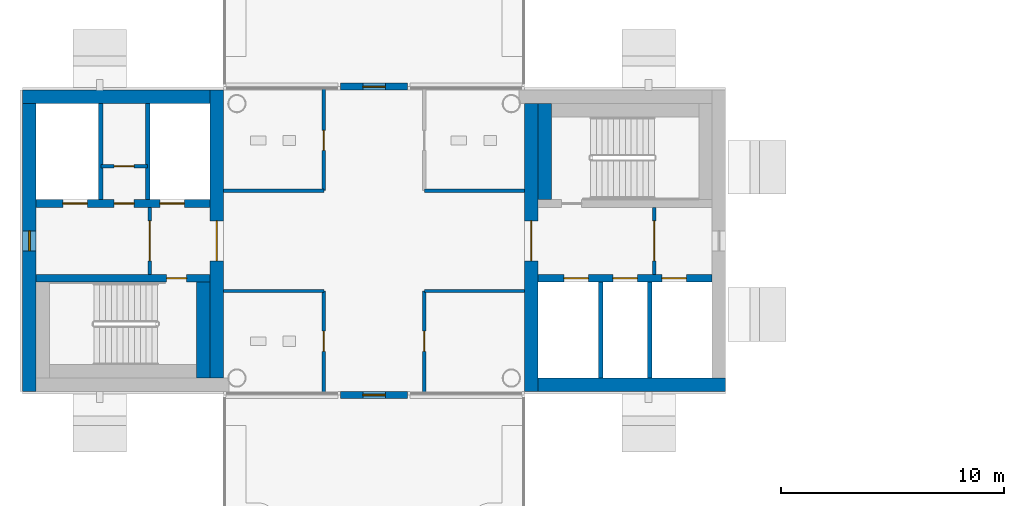
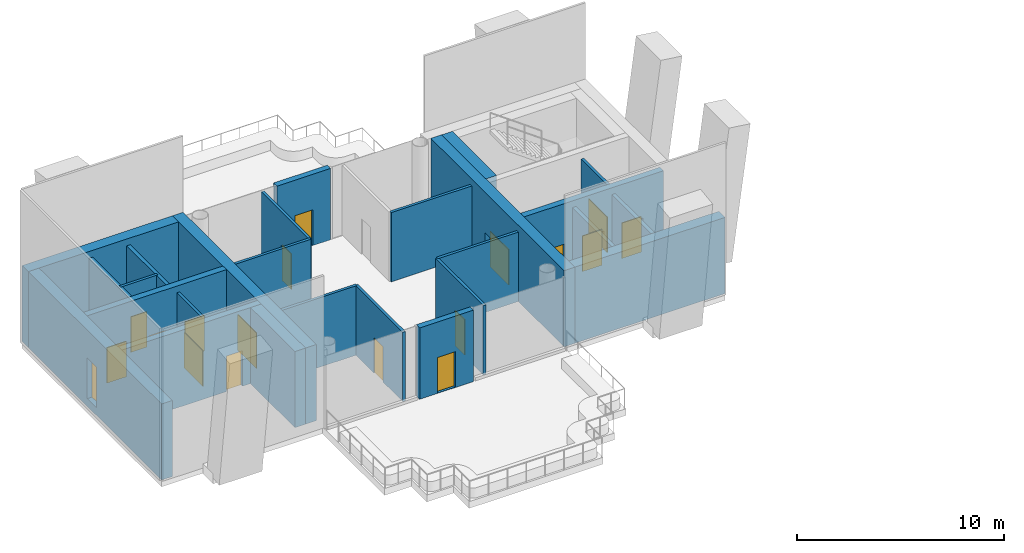
# One storey, part 7 of 17: 26 walls, 17 doors, 1 window, 18 openings.
"""IFC4 building model written with IfcOpenShell, lengths in metres."""

from ifc_helpers import new_model, si_unit, direction, frame, frame_2d, origin, place, context, subcontext, project, spatial, rectangle, extrude, material, layer, layer_set, type_object, element, fill, save


model = new_model("IFC4")

# Units and contexts
model_context = context("Model", 3, precision=1e-05, world=origin(), true_north=direction((0.0, 1.0)))
body_context = subcontext(model_context, "Body", "Model", "MODEL_VIEW")
ifc_project = project(units=[si_unit("LENGTHUNIT", "METRE"), si_unit("AREAUNIT", "SQUARE_METRE"), si_unit("VOLUMEUNIT", "CUBIC_METRE"), si_unit("PLANEANGLEUNIT", "RADIAN"), si_unit("MASSUNIT", "GRAM", prefix="KILO")], contexts=[model_context])

# Site, building, storey
site_placement = place(None, origin())
site = spatial("IfcSite", under=ifc_project, at=site_placement, CompositionType="ELEMENT")
building_placement = place(site_placement, origin())
building = spatial("IfcBuilding", under=site, at=building_placement, Name="Ipe Terrace Towers", CompositionType="ELEMENT")
storey_placement = place(building_placement, frame((0.0, 0.0, 246.89990234375)))
storey = spatial("IfcBuildingStorey", under=building, at=storey_placement, Name="L68", CompositionType="ELEMENT", Elevation=246.89990234375)

# Wall, opening, door
ifc_material_1 = material(Name="Concrete C40/50 with buff precast cladding", Category="concrete")
ifc_layer_1 = layer(ifc_material_1, 0.320068359375)
ifc_layer_set_1 = layer_set([ifc_layer_1], Name="BUFF CLADDING WALL 320")
wall_type_1 = type_object("IfcWallType", Name="BUFF CLADDING WALL 320", PredefinedType="STANDARD", material=ifc_layer_set_1)
wall_1_placement = place(storey_placement, frame((-37.5, -6.909912109375, -0.02001953125), z_axis=(0.0, 0.0, 1.0), x_axis=(1.0, 0.0, 0.0)))
wall_1 = element("IfcWall", 1, at=wall_1_placement, inside=storey, type_object=wall_type_1, Name="T1-W-L68-00c wall", PredefinedType="STANDARD", context=body_context, shape_type="SweptSolid", body=[
    extrude(rectangle(XDim=3.0, YDim=0.320068359375, at=frame_2d((1.5, 0.0))), origin(), (0.0, 0.0, 1.0), 4.22021484375),
])
opening_1_placement = place(wall_1_placement, frame((1.0, 0.0, 0.02001953125)))
opening_1 = element("IfcOpeningElement", 2, at=opening_1_placement, cuts=wall_1, Name="Opening T1-D-L68-00", PredefinedType="OPENING", context=body_context, shape_type="SweptSolid", body=[
    extrude(rectangle(XDim=1.0, YDim=2.10009765625, at=frame_2d((0.5, 1.050048828125))), frame((0.0, 0.169921875, 0.0), z_axis=(0.0, -1.0, 0.0), x_axis=(1.0, 0.0, 0.0)), (0.0, 0.0, 1.0), 0.340087890625),
])
ifc_material_2 = material(Name="Aluminium alloy 6063-T6 framed glazed door", Category="aluminium")
door_type_1 = type_object("IfcDoorType", Name="TERRACE DOOR 1000 x 2100", OperationType="SINGLE_SWING_LEFT", PredefinedType="DOOR", material=ifc_material_2)
door_1_placement = place(opening_1_placement, origin())
door_1 = element("IfcDoor", 3, at=door_1_placement, inside=storey, type_object=door_type_1, Name="DT1 door", OperationType="SINGLE_SWING_LEFT", OverallHeight=2.10009765625, OverallWidth=1.0, PredefinedType="DOOR", context=body_context, shape_type="SweptSolid", body=[
    extrude(rectangle(XDim=1.0, YDim=2.10009765625, at=frame_2d((0.5, 1.050048828125))), frame((0.0, 0.02490234375, 0.0), z_axis=(0.0, -1.0, 0.0), x_axis=(1.0, 0.0, 0.0)), (0.0, 0.0, 1.0), 0.050048828125),
])
fill(opening_1, door_1)

wall_2_placement = place(storey_placement, frame((-34.5, 6.909912109375, -0.02001953125), z_axis=(0.0, 0.0, 1.0), x_axis=(-1.0, 0.0, 0.0)))
wall_2 = element("IfcWall", 4, at=wall_2_placement, inside=storey, type_object=wall_type_1, Name="T1-W-L68-02c wall", PredefinedType="STANDARD", context=body_context, shape_type="SweptSolid", body=[
    extrude(rectangle(XDim=3.0, YDim=0.320068359375, at=frame_2d((1.5, 0.0))), origin(), (0.0, 0.0, 1.0), 4.22021484375),
])
opening_2_placement = place(wall_2_placement, frame((1.0, 0.0, 0.02001953125)))
opening_2 = element("IfcOpeningElement", 5, at=opening_2_placement, cuts=wall_2, Name="Opening T1-D-L68-02", PredefinedType="OPENING", context=body_context, shape_type="SweptSolid", body=[
    extrude(rectangle(XDim=1.0, YDim=2.10009765625, at=frame_2d((0.5, 1.050048828125))), frame((0.0, 0.169921875, 0.0), z_axis=(0.0, -1.0, 0.0), x_axis=(1.0, 0.0, 0.0)), (0.0, 0.0, 1.0), 0.340087890625),
])
door_2_placement = place(opening_2_placement, origin())
door_2 = element("IfcDoor", 6, at=door_2_placement, inside=storey, type_object=door_type_1, Name="DT1 door", OperationType="SINGLE_SWING_LEFT", OverallHeight=2.10009765625, OverallWidth=1.0, PredefinedType="DOOR", context=body_context, shape_type="SweptSolid", body=[
    extrude(rectangle(XDim=1.0, YDim=2.10009765625, at=frame_2d((0.5, 1.050048828125))), frame((0.0, 0.02490234375, 0.0), z_axis=(0.0, -1.0, 0.0), x_axis=(1.0, 0.0, 0.0)), (0.0, 0.0, 1.0), 0.050048828125),
])
fill(opening_2, door_2)

ifc_material_3 = material(Name="Gypsum board partition", Category="plasterboard")
ifc_layer_2 = layer(ifc_material_3, 0.14990234375)
ifc_layer_set_2 = layer_set([ifc_layer_2], Name="Gypsum board partition 150 mm")
wall_type_2 = type_object("IfcWallType", Name="Gypsum board partition 150 mm", PredefinedType="PARTITIONING", material=ifc_layer_set_2)
wall_3_placement = place(storey_placement, frame((-23.449951171875, -1.5, 0.0), z_axis=(0.0, 0.0, 1.0), x_axis=(0.0, 1.0, 0.0)))
wall_3 = element("IfcWall", 7, at=wall_3_placement, inside=storey, type_object=wall_type_2, Name="Gypsum board partition T1 L68 t1c1-lobby-wall", PredefinedType="PARTITIONING", context=body_context, shape_type="SweptSolid", body=[
    extrude(rectangle(XDim=3.0, YDim=0.14990234375, at=frame_2d((1.5, 0.0))), origin(), (0.0, 0.0, 1.0), 4.10009765625),
])
opening_3_placement = place(wall_3_placement, frame((0.60009765625, 0.0, 0.0)))
opening_3 = element("IfcOpeningElement", 8, at=opening_3_placement, cuts=wall_3, Name="Opening T1C1-VD", PredefinedType="OPENING", context=body_context, shape_type="SweptSolid", body=[
    extrude(rectangle(XDim=1.800048828125, YDim=2.10009765625, at=frame_2d((0.89990234375, 1.050048828125))), frame((0.0, 0.0849609375, 0.0), z_axis=(0.0, -1.0, 0.0), x_axis=(1.0, 0.0, 0.0)), (0.0, 0.0, 1.0), 0.169921875),
])
ifc_material_4 = material(Name="Fire-rated timber door leaf", Category="wood")
door_type_2 = type_object("IfcDoorType", Name="Lobby door 1800 x 2100 FD60", OperationType="NOTDEFINED", PredefinedType="DOOR", material=ifc_material_4)
door_3_placement = place(opening_3_placement, origin())
door_3 = element("IfcDoor", 9, at=door_3_placement, inside=storey, type_object=door_type_2, Name="Lobby door T1C1-VD", OperationType="SINGLE_SWING_LEFT", OverallHeight=2.10009765625, OverallWidth=1.800048828125, PredefinedType="DOOR", context=body_context, shape_type="SweptSolid", body=[
    extrude(rectangle(XDim=1.800048828125, YDim=2.10009765625, at=frame_2d((0.89990234375, 1.050048828125))), frame((0.0, 0.02490234375, 0.0), z_axis=(0.0, -1.0, 0.0), x_axis=(1.0, 0.0, 0.0)), (0.0, 0.0, 1.0), 0.050048828125),
])
fill(opening_3, door_3)

wall_4_placement = place(storey_placement, frame((-46.050048828125, 1.5, 0.0), z_axis=(0.0, 0.0, 1.0), x_axis=(0.0, -1.0, 0.0)))
wall_4 = element("IfcWall", 10, at=wall_4_placement, inside=storey, type_object=wall_type_2, Name="Gypsum board partition T1 L68 t1c2-lobby-wall", PredefinedType="PARTITIONING", context=body_context, shape_type="SweptSolid", body=[
    extrude(rectangle(XDim=3.0, YDim=0.14990234375, at=frame_2d((1.5, 0.0))), origin(), (0.0, 0.0, 1.0), 4.10009765625),
])
opening_4_placement = place(wall_4_placement, frame((0.60009765625, 0.0, 0.0)))
opening_4 = element("IfcOpeningElement", 11, at=opening_4_placement, cuts=wall_4, Name="Opening T1C2-VD", PredefinedType="OPENING", context=body_context, shape_type="SweptSolid", body=[
    extrude(rectangle(XDim=1.800048828125, YDim=2.10009765625, at=frame_2d((0.89990234375, 1.050048828125))), frame((0.0, 0.0849609375, 0.0), z_axis=(0.0, -1.0, 0.0), x_axis=(1.0, 0.0, 0.0)), (0.0, 0.0, 1.0), 0.169921875),
])
door_4_placement = place(opening_4_placement, origin())
door_4 = element("IfcDoor", 12, at=door_4_placement, inside=storey, type_object=door_type_2, Name="Lobby door T1C2-VD", OperationType="SINGLE_SWING_LEFT", OverallHeight=2.10009765625, OverallWidth=1.800048828125, PredefinedType="DOOR", context=body_context, shape_type="SweptSolid", body=[
    extrude(rectangle(XDim=1.800048828125, YDim=2.10009765625, at=frame_2d((0.89990234375, 1.050048828125))), frame((0.0, 0.02490234375, 0.0), z_axis=(0.0, -1.0, 0.0), x_axis=(1.0, 0.0, 0.0)), (0.0, 0.0, 1.0), 0.050048828125),
])
fill(opening_4, door_4)

wall_5_placement = place(storey_placement, frame((-46.14990234375, 3.35009765625, 0.0), z_axis=(0.0, 0.0, 1.0), x_axis=(-1.0, 0.0, 0.0)))
wall_5 = element("IfcWall", 13, at=wall_5_placement, inside=storey, type_object=wall_type_2, Name="Gypsum board partition T1 L68 t1c2-q-back", PredefinedType="PARTITIONING", context=body_context, shape_type="SweptSolid", body=[
    extrude(rectangle(XDim=2.10009765625, YDim=0.14990234375, at=frame_2d((1.050048828125, 0.0))), origin(), (0.0, 0.0, 1.0), 4.10009765625),
])
opening_5_placement = place(wall_5_placement, frame((0.60009765625, 0.0, 0.0)))
opening_5 = element("IfcOpeningElement", 14, at=opening_5_placement, cuts=wall_5, Name="Opening T1C2-RB", PredefinedType="OPENING", context=body_context, shape_type="SweptSolid", body=[
    extrude(rectangle(XDim=0.89990234375, YDim=2.10009765625, at=frame_2d((0.449951171875, 1.050048828125))), frame((0.0, 0.0849609375, 0.0), z_axis=(0.0, -1.0, 0.0), x_axis=(1.0, 0.0, 0.0)), (0.0, 0.0, 1.0), 0.169921875),
])
ifc_material_5 = material(Name="Fire-rated timber door leaf", Category="wood")
door_type_3 = type_object("IfcDoorType", Name="Service door 900 x 2100 FD60", OperationType="NOTDEFINED", PredefinedType="DOOR", material=ifc_material_5)
door_5_placement = place(opening_5_placement, origin())
door_5 = element("IfcDoor", 15, at=door_5_placement, inside=storey, type_object=door_type_3, Name="Service door T1C2-RB", OperationType="SINGLE_SWING_LEFT", OverallHeight=2.10009765625, OverallWidth=0.89990234375, PredefinedType="DOOR", context=body_context, shape_type="SweptSolid", body=[
    extrude(rectangle(XDim=0.89990234375, YDim=2.10009765625, at=frame_2d((0.449951171875, 1.050048828125))), frame((0.0, 0.02490234375, 0.0), z_axis=(0.0, -1.0, 0.0), x_axis=(1.0, 0.0, 0.0)), (0.0, 0.0, 1.0), 0.050048828125),
])
fill(opening_5, door_5)

# Wall
wall_6_placement = place(storey_placement, frame((-33.75, 2.25, 0.0), z_axis=(0.0, 0.0, 1.0), x_axis=(1.0, 0.0, 0.0)))
element("IfcWall", 16, at=wall_6_placement, inside=storey, type_object=wall_type_2, Name="Gypsum board partition T1 L68 sp-cne-y", PredefinedType="PARTITIONING", context=body_context, shape_type="SweptSolid", body=[
    extrude(rectangle(XDim=4.5, YDim=0.14990234375, at=frame_2d((2.25, 0.0))), origin(), (0.0, 0.0, 1.0), 4.10009765625),
])

# Wall, opening, door
wall_7_placement = place(storey_placement, frame((-33.75, -6.85009765625, 0.0), z_axis=(0.0, 0.0, 1.0), x_axis=(0.0, 1.0, 0.0)))
wall_7 = element("IfcWall", 17, at=wall_7_placement, inside=storey, type_object=wall_type_2, Name="Gypsum board partition T1 L68 sp-cse-x", PredefinedType="PARTITIONING", context=body_context, shape_type="SweptSolid", body=[
    extrude(rectangle(XDim=4.60009765625, YDim=0.14990234375, at=frame_2d((2.300048828125, 0.0))), origin(), (0.0, 0.0, 1.0), 4.10009765625),
])
opening_6_placement = place(wall_7_placement, frame((1.89990234375, 0.0, 0.0)))
opening_6 = element("IfcOpeningElement", 18, at=opening_6_placement, cuts=wall_7, Name="Opening T1-SP-CSE", PredefinedType="OPENING", context=body_context, shape_type="SweptSolid", body=[
    extrude(rectangle(XDim=0.89990234375, YDim=2.10009765625, at=frame_2d((0.449951171875, 1.050048828125))), frame((0.0, 0.0849609375, 0.0), z_axis=(0.0, -1.0, 0.0), x_axis=(1.0, 0.0, 0.0)), (0.0, 0.0, 1.0), 0.169921875),
])
ifc_material_6 = material(Name="Timber door leaf", Category="wood")
door_type_4 = type_object("IfcDoorType", Name="Service door 900 x 2100", OperationType="NOTDEFINED", PredefinedType="DOOR", material=ifc_material_6)
door_6_placement = place(opening_6_placement, origin())
door_6 = element("IfcDoor", 19, at=door_6_placement, inside=storey, type_object=door_type_4, Name="Service door T1-SP-CSE", OperationType="SINGLE_SWING_RIGHT", OverallHeight=2.10009765625, OverallWidth=0.89990234375, PredefinedType="DOOR", context=body_context, shape_type="SweptSolid", body=[
    extrude(rectangle(XDim=0.89990234375, YDim=2.10009765625, at=frame_2d((0.449951171875, 1.050048828125))), frame((0.0, 0.02490234375, 0.0), z_axis=(0.0, -1.0, 0.0), x_axis=(1.0, 0.0, 0.0)), (0.0, 0.0, 1.0), 0.050048828125),
])
fill(opening_6, door_6)

# Wall
wall_8_placement = place(storey_placement, frame((-33.75, -2.25, 0.0), z_axis=(0.0, 0.0, 1.0), x_axis=(1.0, 0.0, 0.0)))
element("IfcWall", 20, at=wall_8_placement, inside=storey, type_object=wall_type_2, Name="Gypsum board partition T1 L68 sp-cse-y", PredefinedType="PARTITIONING", context=body_context, shape_type="SweptSolid", body=[
    extrude(rectangle(XDim=4.5, YDim=0.14990234375, at=frame_2d((2.25, 0.0))), origin(), (0.0, 0.0, 1.0), 4.10009765625),
])

# Wall, opening, door
wall_9_placement = place(storey_placement, frame((-38.25, 2.25, 0.0), z_axis=(0.0, 0.0, 1.0), x_axis=(0.0, 1.0, 0.0)))
wall_9 = element("IfcWall", 21, at=wall_9_placement, inside=storey, type_object=wall_type_2, Name="Gypsum board partition T1 L68 sp-cnw-x", PredefinedType="PARTITIONING", context=body_context, shape_type="SweptSolid", body=[
    extrude(rectangle(XDim=4.60009765625, YDim=0.14990234375, at=frame_2d((2.300048828125, 0.0))), origin(), (0.0, 0.0, 1.0), 4.10009765625),
])
opening_7_placement = place(wall_9_placement, frame((1.800048828125, 0.0, 0.0)))
opening_7 = element("IfcOpeningElement", 22, at=opening_7_placement, cuts=wall_9, Name="Opening T1-SP-CNW", PredefinedType="OPENING", context=body_context, shape_type="SweptSolid", body=[
    extrude(rectangle(XDim=0.89990234375, YDim=2.10009765625, at=frame_2d((0.449951171875, 1.050048828125))), frame((0.0, 0.0849609375, 0.0), z_axis=(0.0, -1.0, 0.0), x_axis=(1.0, 0.0, 0.0)), (0.0, 0.0, 1.0), 0.169921875),
])
ifc_material_7 = material(Name="Timber door leaf", Category="wood")
door_type_5 = type_object("IfcDoorType", Name="Bathroom door 900 x 2100", OperationType="NOTDEFINED", PredefinedType="DOOR", material=ifc_material_7)
door_7_placement = place(opening_7_placement, origin())
door_7 = element("IfcDoor", 23, at=door_7_placement, inside=storey, type_object=door_type_5, Name="Bathroom door T1-SP-CNW", OperationType="SINGLE_SWING_LEFT", OverallHeight=2.10009765625, OverallWidth=0.89990234375, PredefinedType="DOOR", context=body_context, shape_type="SweptSolid", body=[
    extrude(rectangle(XDim=0.89990234375, YDim=2.10009765625, at=frame_2d((0.449951171875, 1.050048828125))), frame((0.0, 0.02490234375, 0.0), z_axis=(0.0, -1.0, 0.0), x_axis=(1.0, 0.0, 0.0)), (0.0, 0.0, 1.0), 0.050048828125),
])
fill(opening_7, door_7)

# Wall
wall_10_placement = place(storey_placement, frame((-42.75, 2.25, 0.0), z_axis=(0.0, 0.0, 1.0), x_axis=(1.0, 0.0, 0.0)))
element("IfcWall", 24, at=wall_10_placement, inside=storey, type_object=wall_type_2, Name="Gypsum board partition T1 L68 sp-cnw-y", PredefinedType="PARTITIONING", context=body_context, shape_type="SweptSolid", body=[
    extrude(rectangle(XDim=4.5, YDim=0.14990234375, at=frame_2d((2.25, 0.0))), origin(), (0.0, 0.0, 1.0), 4.10009765625),
])

# Wall, opening, door
wall_11_placement = place(storey_placement, frame((-38.25, -6.85009765625, 0.0), z_axis=(0.0, 0.0, 1.0), x_axis=(0.0, 1.0, 0.0)))
wall_11 = element("IfcWall", 25, at=wall_11_placement, inside=storey, type_object=wall_type_2, Name="Gypsum board partition T1 L68 sp-csw-x", PredefinedType="PARTITIONING", context=body_context, shape_type="SweptSolid", body=[
    extrude(rectangle(XDim=4.60009765625, YDim=0.14990234375, at=frame_2d((2.300048828125, 0.0))), origin(), (0.0, 0.0, 1.0), 4.10009765625),
])
opening_8_placement = place(wall_11_placement, frame((1.89990234375, 0.0, 0.0)))
opening_8 = element("IfcOpeningElement", 26, at=opening_8_placement, cuts=wall_11, Name="Opening T1-SP-CSW", PredefinedType="OPENING", context=body_context, shape_type="SweptSolid", body=[
    extrude(rectangle(XDim=0.89990234375, YDim=2.10009765625, at=frame_2d((0.449951171875, 1.050048828125))), frame((0.0, 0.0849609375, 0.0), z_axis=(0.0, -1.0, 0.0), x_axis=(1.0, 0.0, 0.0)), (0.0, 0.0, 1.0), 0.169921875),
])
door_8_placement = place(opening_8_placement, origin())
door_8 = element("IfcDoor", 27, at=door_8_placement, inside=storey, type_object=door_type_5, Name="Bathroom door T1-SP-CSW", OperationType="SINGLE_SWING_LEFT", OverallHeight=2.10009765625, OverallWidth=0.89990234375, PredefinedType="DOOR", context=body_context, shape_type="SweptSolid", body=[
    extrude(rectangle(XDim=0.89990234375, YDim=2.10009765625, at=frame_2d((0.449951171875, 1.050048828125))), frame((0.0, 0.02490234375, 0.0), z_axis=(0.0, -1.0, 0.0), x_axis=(1.0, 0.0, 0.0)), (0.0, 0.0, 1.0), 0.050048828125),
])
fill(opening_8, door_8)

# Walls
wall_12_placement = place(storey_placement, frame((-42.75, -2.25, 0.0), z_axis=(0.0, 0.0, 1.0), x_axis=(1.0, 0.0, 0.0)))
element("IfcWall", 28, at=wall_12_placement, inside=storey, type_object=wall_type_2, Name="Gypsum board partition T1 L68 sp-csw-y", PredefinedType="PARTITIONING", context=body_context, shape_type="SweptSolid", body=[
    extrude(rectangle(XDim=4.5, YDim=0.14990234375, at=frame_2d((2.25, 0.0))), origin(), (0.0, 0.0, 1.0), 4.10009765625),
])
ifc_material_8 = material(Name="Gypsum board party wall", Category="plasterboard")
ifc_layer_3 = layer(ifc_material_8, 0.199951171875)
ifc_layer_set_3 = layer_set([ifc_layer_3], Name="Gypsum board party wall 200 mm")
wall_type_3 = type_object("IfcWallType", Name="Gypsum board party wall 200 mm", PredefinedType="SOLIDWALL", material=ifc_layer_set_3)
for number, where, z_axis, x_axis, name in (
    (29, (-25.85009765625, -6.14990234375, 0.0), (0.0, 0.0, 1.0), (0.0, 1.0, 0.0), "Gypsum board party wall T1 L68 t1c1-shaft-div1"),
    (30, (-23.64990234375, -6.14990234375, 0.0), (0.0, 0.0, 1.0), (0.0, 1.0, 0.0), "Gypsum board party wall T1 L68 t1c1-shaft-div2"),
    (31, (-48.25, 6.14990234375, 0.0), (0.0, 0.0, 1.0), (0.0, -1.0, 0.0), "Gypsum board party wall T1 L68 t1c2-shaft-div2"),
    (32, (-46.14990234375, 6.14990234375, 0.0), (0.0, 0.0, 1.0), (0.0, -1.0, 0.0), "Gypsum board party wall T1 L68 t1c2-shaft-div1"),
):
    element("IfcWall", number, at=place(storey_placement, frame(where, z_axis=z_axis, x_axis=x_axis)), inside=storey, type_object=wall_type_3, Name=name, PredefinedType="SOLIDWALL", context=body_context, shape_type="SweptSolid", body=[
        extrude(rectangle(XDim=4.2998046875, YDim=0.199951171875, at=frame_2d((2.14990234375, 0.0))), origin(), (0.0, 0.0, 1.0), 4.10009765625),
    ])

# Wall, openings, doors
ifc_material_9 = material(Name="Concrete C40/50", Category="concrete")
ifc_layer_4 = layer(ifc_material_9, 0.35009765625)
ifc_layer_set_4 = layer_set([ifc_layer_4], Name="RW350 CORE SPINE WALL 350 C40-50")
wall_type_4 = type_object("IfcWallType", Name="RW350 CORE SPINE WALL 350 C40-50", PredefinedType="SHEAR", material=ifc_layer_set_4)
wall_13_placement = place(storey_placement, frame((-28.64990234375, -1.675048828125, 0.0), z_axis=(0.0, 0.0, 1.0), x_axis=(1.0, 0.0, 0.0)))
wall_13 = element("IfcWall", 33, at=wall_13_placement, inside=storey, type_object=wall_type_4, Name="Core spine wall T1-C1-Z4-SW1", PredefinedType="SHEAR", context=body_context, shape_type="SweptSolid", body=[
    extrude(rectangle(XDim=7.7998046875, YDim=0.35009765625, at=frame_2d((3.89990234375, 0.0))), origin(), (0.0, 0.0, 1.0), 4.5),
])
opening_9_placement = place(wall_13_placement, frame((1.14990234375, 0.0, 0.0)))
opening_9 = element("IfcOpeningElement", 34, at=opening_9_placement, cuts=wall_13, Name="Opening T1C1-LD1", PredefinedType="OPENING", context=body_context, shape_type="SweptSolid", body=[
    extrude(rectangle(XDim=1.10009765625, YDim=2.10009765625, at=frame_2d((0.550048828125, 1.050048828125))), frame((0.0, 0.18505859375, 0.0), z_axis=(0.0, -1.0, 0.0), x_axis=(1.0, 0.0, 0.0)), (0.0, 0.0, 1.0), 0.3701171875),
])
opening_10_placement = place(wall_13_placement, frame((3.35009765625, 0.0, 0.0)))
opening_10 = element("IfcOpeningElement", 35, at=opening_10_placement, cuts=wall_13, Name="Opening T1C1-LD2", PredefinedType="OPENING", context=body_context, shape_type="SweptSolid", body=[
    extrude(rectangle(XDim=1.10009765625, YDim=2.10009765625, at=frame_2d((0.550048828125, 1.050048828125))), frame((0.0, 0.18505859375, 0.0), z_axis=(0.0, -1.0, 0.0), x_axis=(1.0, 0.0, 0.0)), (0.0, 0.0, 1.0), 0.3701171875),
])
opening_11_placement = place(wall_13_placement, frame((5.550048828125, 0.0, 0.0)))
opening_11 = element("IfcOpeningElement", 36, at=opening_11_placement, cuts=wall_13, Name="Opening T1C1-LD3", PredefinedType="OPENING", context=body_context, shape_type="SweptSolid", body=[
    extrude(rectangle(XDim=1.10009765625, YDim=2.10009765625, at=frame_2d((0.550048828125, 1.050048828125))), frame((0.0, 0.18505859375, 0.0), z_axis=(0.0, -1.0, 0.0), x_axis=(1.0, 0.0, 0.0)), (0.0, 0.0, 1.0), 0.3701171875),
])
ifc_material_10 = material(Name="Fire-rated timber door leaf", Category="wood")
door_type_6 = type_object("IfcDoorType", Name="Sliding door 1100 x 2100 FD60", OperationType="SLIDING_TO_LEFT", PredefinedType="DOOR", material=ifc_material_10)
door_9_placement = place(opening_9_placement, origin())
door_9 = element("IfcDoor", 37, at=door_9_placement, inside=storey, type_object=door_type_6, Name="Sliding door T1C1-LD1", OperationType="SLIDING_TO_LEFT", OverallHeight=2.10009765625, OverallWidth=1.10009765625, PredefinedType="DOOR", context=body_context, shape_type="SweptSolid", body=[
    extrude(rectangle(XDim=1.10009765625, YDim=2.10009765625, at=frame_2d((0.550048828125, 1.050048828125))), frame((0.0, 0.02490234375, 0.0), z_axis=(0.0, -1.0, 0.0), x_axis=(1.0, 0.0, 0.0)), (0.0, 0.0, 1.0), 0.050048828125),
])
fill(opening_9, door_9)
door_10_placement = place(opening_10_placement, origin())
door_10 = element("IfcDoor", 38, at=door_10_placement, inside=storey, type_object=door_type_6, Name="Sliding door T1C1-LD2", OperationType="SLIDING_TO_LEFT", OverallHeight=2.10009765625, OverallWidth=1.10009765625, PredefinedType="DOOR", context=body_context, shape_type="SweptSolid", body=[
    extrude(rectangle(XDim=1.10009765625, YDim=2.10009765625, at=frame_2d((0.550048828125, 1.050048828125))), frame((0.0, 0.02490234375, 0.0), z_axis=(0.0, -1.0, 0.0), x_axis=(1.0, 0.0, 0.0)), (0.0, 0.0, 1.0), 0.050048828125),
])
fill(opening_10, door_10)
door_11_placement = place(opening_11_placement, origin())
door_11 = element("IfcDoor", 39, at=door_11_placement, inside=storey, type_object=door_type_6, Name="Sliding door T1C1-LD3", OperationType="SLIDING_TO_LEFT", OverallHeight=2.10009765625, OverallWidth=1.10009765625, PredefinedType="DOOR", context=body_context, shape_type="SweptSolid", body=[
    extrude(rectangle(XDim=1.10009765625, YDim=2.10009765625, at=frame_2d((0.550048828125, 1.050048828125))), frame((0.0, 0.02490234375, 0.0), z_axis=(0.0, -1.0, 0.0), x_axis=(1.0, 0.0, 0.0)), (0.0, 0.0, 1.0), 0.050048828125),
])
fill(opening_11, door_11)

# Wall, opening, door
wall_14_placement = place(storey_placement, frame((-51.14990234375, -1.675048828125, 0.0), z_axis=(0.0, 0.0, 1.0), x_axis=(1.0, 0.0, 0.0)))
wall_14 = element("IfcWall", 40, at=wall_14_placement, inside=storey, type_object=wall_type_4, Name="Core spine wall T1-C2-Z4-SW1", PredefinedType="SHEAR", context=body_context, shape_type="SweptSolid", body=[
    extrude(rectangle(XDim=7.7998046875, YDim=0.35009765625, at=frame_2d((3.89990234375, 0.0))), origin(), (0.0, 0.0, 1.0), 4.5),
])
opening_12_placement = place(wall_14_placement, frame((5.85009765625, 0.0, 0.0)))
opening_12 = element("IfcOpeningElement", 41, at=opening_12_placement, cuts=wall_14, Name="Opening T1C2-SD", PredefinedType="OPENING", context=body_context, shape_type="SweptSolid", body=[
    extrude(rectangle(XDim=0.89990234375, YDim=2.10009765625, at=frame_2d((0.449951171875, 1.050048828125))), frame((0.0, 0.18505859375, 0.0), z_axis=(0.0, -1.0, 0.0), x_axis=(1.0, 0.0, 0.0)), (0.0, 0.0, 1.0), 0.3701171875),
])
ifc_material_11 = material(Name="Fire-rated timber door leaf", Category="wood")
door_type_7 = type_object("IfcDoorType", Name="Stair door 900 x 2100 FD60", OperationType="NOTDEFINED", PredefinedType="DOOR", material=ifc_material_11)
door_12_placement = place(opening_12_placement, origin())
door_12 = element("IfcDoor", 42, at=door_12_placement, inside=storey, type_object=door_type_7, Name="Stair door T1C2-SD", OperationType="SINGLE_SWING_RIGHT", OverallHeight=2.10009765625, OverallWidth=0.89990234375, PredefinedType="DOOR", context=body_context, shape_type="SweptSolid", body=[
    extrude(rectangle(XDim=0.89990234375, YDim=2.10009765625, at=frame_2d((0.449951171875, 1.050048828125))), frame((0.0, 0.02490234375, 0.0), z_axis=(0.0, -1.0, 0.0), x_axis=(1.0, 0.0, 0.0)), (0.0, 0.0, 1.0), 0.050048828125),
])
fill(opening_12, door_12)

# Wall, openings, doors
wall_15_placement = place(storey_placement, frame((-51.14990234375, 1.675048828125, 0.0), z_axis=(0.0, 0.0, 1.0), x_axis=(1.0, 0.0, 0.0)))
wall_15 = element("IfcWall", 43, at=wall_15_placement, inside=storey, type_object=wall_type_4, Name="Core spine wall T1-C2-Z4-SW2", PredefinedType="SHEAR", context=body_context, shape_type="SweptSolid", body=[
    extrude(rectangle(XDim=7.7998046875, YDim=0.35009765625, at=frame_2d((3.89990234375, 0.0))), origin(), (0.0, 0.0, 1.0), 4.5),
])
opening_13_placement = place(wall_15_placement, frame((5.550048828125, 0.0, 0.0)))
opening_13 = element("IfcOpeningElement", 44, at=opening_13_placement, cuts=wall_15, Name="Opening T1C2-LD1", PredefinedType="OPENING", context=body_context, shape_type="SweptSolid", body=[
    extrude(rectangle(XDim=1.10009765625, YDim=2.10009765625, at=frame_2d((0.550048828125, 1.050048828125))), frame((0.0, 0.18505859375, 0.0), z_axis=(0.0, -1.0, 0.0), x_axis=(1.0, 0.0, 0.0)), (0.0, 0.0, 1.0), 0.3701171875),
])
opening_14_placement = place(wall_15_placement, frame((1.199951171875, 0.0, 0.0)))
opening_14 = element("IfcOpeningElement", 45, at=opening_14_placement, cuts=wall_15, Name="Opening T1C2-LD3", PredefinedType="OPENING", context=body_context, shape_type="SweptSolid", body=[
    extrude(rectangle(XDim=1.10009765625, YDim=2.10009765625, at=frame_2d((0.550048828125, 1.050048828125))), frame((0.0, 0.18505859375, 0.0), z_axis=(0.0, -1.0, 0.0), x_axis=(1.0, 0.0, 0.0)), (0.0, 0.0, 1.0), 0.3701171875),
])
opening_15_placement = place(wall_15_placement, frame((3.5, 0.0, 0.0)))
opening_15 = element("IfcOpeningElement", 46, at=opening_15_placement, cuts=wall_15, Name="Opening T1C2-R1-NR", PredefinedType="OPENING", context=body_context, shape_type="SweptSolid", body=[
    extrude(rectangle(XDim=0.89990234375, YDim=2.10009765625, at=frame_2d((0.449951171875, 1.050048828125))), frame((0.0, 0.18505859375, 0.0), z_axis=(0.0, -1.0, 0.0), x_axis=(1.0, 0.0, 0.0)), (0.0, 0.0, 1.0), 0.3701171875),
])
door_13_placement = place(opening_13_placement, origin())
door_13 = element("IfcDoor", 47, at=door_13_placement, inside=storey, type_object=door_type_6, Name="Sliding door T1C2-LD1", OperationType="SLIDING_TO_LEFT", OverallHeight=2.10009765625, OverallWidth=1.10009765625, PredefinedType="DOOR", context=body_context, shape_type="SweptSolid", body=[
    extrude(rectangle(XDim=1.10009765625, YDim=2.10009765625, at=frame_2d((0.550048828125, 1.050048828125))), frame((0.0, 0.02490234375, 0.0), z_axis=(0.0, -1.0, 0.0), x_axis=(1.0, 0.0, 0.0)), (0.0, 0.0, 1.0), 0.050048828125),
])
fill(opening_13, door_13)
door_14_placement = place(opening_14_placement, origin())
door_14 = element("IfcDoor", 48, at=door_14_placement, inside=storey, type_object=door_type_6, Name="Sliding door T1C2-LD3", OperationType="SLIDING_TO_LEFT", OverallHeight=2.10009765625, OverallWidth=1.10009765625, PredefinedType="DOOR", context=body_context, shape_type="SweptSolid", body=[
    extrude(rectangle(XDim=1.10009765625, YDim=2.10009765625, at=frame_2d((0.550048828125, 1.050048828125))), frame((0.0, 0.02490234375, 0.0), z_axis=(0.0, -1.0, 0.0), x_axis=(1.0, 0.0, 0.0)), (0.0, 0.0, 1.0), 0.050048828125),
])
fill(opening_14, door_14)
ifc_material_12 = material(Name="Timber door leaf", Category="wood")
door_type_8 = type_object("IfcDoorType", Name="Store door 900 x 2100", OperationType="NOTDEFINED", PredefinedType="DOOR", material=ifc_material_12)
door_15_placement = place(opening_15_placement, origin())
door_15 = element("IfcDoor", 49, at=door_15_placement, inside=storey, type_object=door_type_8, Name="Store door T1C2-R1-NR", OperationType="SINGLE_SWING_LEFT", OverallHeight=2.10009765625, OverallWidth=0.89990234375, PredefinedType="DOOR", context=body_context, shape_type="SweptSolid", body=[
    extrude(rectangle(XDim=0.89990234375, YDim=2.10009765625, at=frame_2d((0.449951171875, 1.050048828125))), frame((0.0, 0.02490234375, 0.0), z_axis=(0.0, -1.0, 0.0), x_axis=(1.0, 0.0, 0.0)), (0.0, 0.0, 1.0), 0.050048828125),
])
fill(opening_15, door_15)

# Walls
ifc_material_13 = material(Name="Concrete C40/50", Category="concrete")
ifc_layer_5 = layer(ifc_material_13, 0.60009765625)
ifc_layer_set_5 = layer_set([ifc_layer_5], Name="RW600 CORE INFILL WALL 600 C40-50")
wall_type_5 = type_object("IfcWallType", Name="RW600 CORE INFILL WALL 600 C40-50", PredefinedType="SHEAR", material=ifc_layer_set_5)
for number, where, z_axis, x_axis, name in (
    (50, (-28.35009765625, 1.85009765625, 0.0), (0.0, 0.0, 1.0), (0.0, 1.0, 0.0), "Core infill wall T1-C1-near"),
    (51, (-43.64990234375, -1.85009765625, 0.0), (0.0, 0.0, 1.0), (0.0, -1.0, 0.0), "Core infill wall T1-C2-near"),
):
    element("IfcWall", number, at=place(storey_placement, frame(where, z_axis=z_axis, x_axis=x_axis)), inside=storey, type_object=wall_type_5, Name=name, PredefinedType="SHEAR", context=body_context, shape_type="SweptSolid", body=[
        extrude(rectangle(XDim=4.2998046875, YDim=0.60009765625, at=frame_2d((2.14990234375, 0.0))), origin(), (0.0, 0.0, 1.0), 4.5),
    ])
ifc_material_14 = material(Name="Concrete C40/50", Category="concrete")
ifc_layer_6 = layer(ifc_material_14, 0.60009765625)
ifc_layer_set_6 = layer_set([ifc_layer_6], Name="RW600 CORE WALL 600 C40-50")
wall_type_6 = type_object("IfcWallType", Name="RW600 CORE WALL 600 C40-50", PredefinedType="SHEAR", material=ifc_layer_set_6)
wall_16_placement = place(storey_placement, frame((-28.64990234375, -6.449951171875, 0.0), z_axis=(0.0, 0.0, 1.0), x_axis=(1.0, 0.0, 0.0)))
element("IfcWall", 52, at=wall_16_placement, inside=storey, type_object=wall_type_6, Name="Core wall T1-C1-Z4-W01", PredefinedType="SHEAR", context=body_context, shape_type="SweptSolid", body=[
    extrude(rectangle(XDim=8.39990234375, YDim=0.60009765625, at=frame_2d((4.199951171875, 0.0))), origin(), (0.0, 0.0, 1.0), 4.5),
])

# Wall, opening, door
wall_17_placement = place(storey_placement, frame((-28.949951171875, 6.14990234375, 0.0), z_axis=(0.0, 0.0, 1.0), x_axis=(0.0, -1.0, 0.0)))
wall_17 = element("IfcWall", 53, at=wall_17_placement, inside=storey, type_object=wall_type_6, Name="Core wall T1-C1-Z4-W04", PredefinedType="SHEAR", context=body_context, shape_type="SweptSolid", body=[
    extrude(rectangle(XDim=12.89990234375, YDim=0.60009765625, at=frame_2d((6.449951171875, 0.0))), origin(), (0.0, 0.0, 1.0), 4.5),
])
opening_16_placement = place(wall_17_placement, frame((5.25, 0.0, 0.0)))
opening_16 = element("IfcOpeningElement", 54, at=opening_16_placement, cuts=wall_17, Name="Opening T1C1-ND", PredefinedType="OPENING", context=body_context, shape_type="SweptSolid", body=[
    extrude(rectangle(XDim=1.800048828125, YDim=2.10009765625, at=frame_2d((0.89990234375, 1.050048828125))), frame((0.0, 0.31005859375, 0.0), z_axis=(0.0, -1.0, 0.0), x_axis=(1.0, 0.0, 0.0)), (0.0, 0.0, 1.0), 0.6201171875),
])
ifc_material_15 = material(Name="Fire-rated timber door leaf", Category="wood")
door_type_9 = type_object("IfcDoorType", Name="Fire door 1800 x 2100 FD30S", OperationType="NOTDEFINED", PredefinedType="DOOR", material=ifc_material_15)
door_16_placement = place(opening_16_placement, origin())
door_16 = element("IfcDoor", 55, at=door_16_placement, inside=storey, type_object=door_type_9, Name="Fire door T1C1-ND", OperationType="SINGLE_SWING_LEFT", OverallHeight=2.10009765625, OverallWidth=1.800048828125, PredefinedType="DOOR", context=body_context, shape_type="SweptSolid", body=[
    extrude(rectangle(XDim=1.800048828125, YDim=2.10009765625, at=frame_2d((0.89990234375, 1.050048828125))), frame((0.0, 0.02490234375, 0.0), z_axis=(0.0, -1.0, 0.0), x_axis=(1.0, 0.0, 0.0)), (0.0, 0.0, 1.0), 0.050048828125),
])
fill(opening_16, door_16)

wall_18_placement = place(storey_placement, frame((-43.050048828125, -6.14990234375, 0.0), z_axis=(0.0, 0.0, 1.0), x_axis=(0.0, 1.0, 0.0)))
wall_18 = element("IfcWall", 56, at=wall_18_placement, inside=storey, type_object=wall_type_6, Name="Core wall T1-C2-Z4-W02", PredefinedType="SHEAR", context=body_context, shape_type="SweptSolid", body=[
    extrude(rectangle(XDim=12.89990234375, YDim=0.60009765625, at=frame_2d((6.449951171875, 0.0))), origin(), (0.0, 0.0, 1.0), 4.5),
])
opening_17_placement = place(wall_18_placement, frame((5.25, 0.0, 0.0)))
opening_17 = element("IfcOpeningElement", 57, at=opening_17_placement, cuts=wall_18, Name="Opening T1C2-ND", PredefinedType="OPENING", context=body_context, shape_type="SweptSolid", body=[
    extrude(rectangle(XDim=1.800048828125, YDim=2.10009765625, at=frame_2d((0.89990234375, 1.050048828125))), frame((0.0, 0.31005859375, 0.0), z_axis=(0.0, -1.0, 0.0), x_axis=(1.0, 0.0, 0.0)), (0.0, 0.0, 1.0), 0.6201171875),
])
door_17_placement = place(opening_17_placement, origin())
door_17 = element("IfcDoor", 58, at=door_17_placement, inside=storey, type_object=door_type_9, Name="Fire door T1C2-ND", OperationType="SINGLE_SWING_LEFT", OverallHeight=2.10009765625, OverallWidth=1.800048828125, PredefinedType="DOOR", context=body_context, shape_type="SweptSolid", body=[
    extrude(rectangle(XDim=1.800048828125, YDim=2.10009765625, at=frame_2d((0.89990234375, 1.050048828125))), frame((0.0, 0.02490234375, 0.0), z_axis=(0.0, -1.0, 0.0), x_axis=(1.0, 0.0, 0.0)), (0.0, 0.0, 1.0), 0.050048828125),
])
fill(opening_17, door_17)

# Wall
wall_19_placement = place(storey_placement, frame((-43.35009765625, 6.449951171875, 0.0), z_axis=(0.0, 0.0, 1.0), x_axis=(-1.0, 0.0, 0.0)))
element("IfcWall", 59, at=wall_19_placement, inside=storey, type_object=wall_type_6, Name="Core wall T1-C2-Z4-W03", PredefinedType="SHEAR", context=body_context, shape_type="SweptSolid", body=[
    extrude(rectangle(XDim=8.39990234375, YDim=0.60009765625, at=frame_2d((4.199951171875, 0.0))), origin(), (0.0, 0.0, 1.0), 4.5),
])

# Wall, opening, window
wall_20_placement = place(storey_placement, frame((-51.449951171875, 6.14990234375, 0.0), z_axis=(0.0, 0.0, 1.0), x_axis=(0.0, -1.0, 0.0)))
wall_20 = element("IfcWall", 60, at=wall_20_placement, inside=storey, type_object=wall_type_6, Name="Core wall T1-C2-Z4-W04", PredefinedType="SHEAR", context=body_context, shape_type="SweptSolid", body=[
    extrude(rectangle(XDim=12.89990234375, YDim=0.60009765625, at=frame_2d((6.449951171875, 0.0))), origin(), (0.0, 0.0, 1.0), 4.5),
])
opening_18_placement = place(wall_20_placement, frame((5.699951171875, 0.0, 0.449951171875)))
opening_18 = element("IfcOpeningElement", 61, at=opening_18_placement, cuts=wall_20, Name="Opening T1-C2-W-01-L68", PredefinedType="OPENING", context=body_context, shape_type="SweptSolid", body=[
    extrude(rectangle(XDim=0.89990234375, YDim=2.39990234375, at=frame_2d((0.449951171875, 1.199951171875))), frame((0.0, 0.31005859375, 0.0), z_axis=(0.0, -1.0, 0.0), x_axis=(1.0, 0.0, 0.0)), (0.0, 0.0, 1.0), 0.6201171875),
])
ifc_material_16 = material(Name="Fire-resistant glazing EI 60", Category="glass")
window_type = type_object("IfcWindowType", Name="CORRIDOR END SLOT WINDOW 900 x 2400 EI 60", PartitioningType="SINGLE_PANEL", PredefinedType="WINDOW", material=ifc_material_16)
window_placement = place(opening_18_placement, origin())
window = element("IfcWindow", 62, at=window_placement, inside=storey, type_object=window_type, Name="W-01 window", OverallHeight=2.39990234375, OverallWidth=0.89990234375, PartitioningType="SINGLE_PANEL", PredefinedType="WINDOW", context=body_context, shape_type="SweptSolid", body=[
    extrude(rectangle(XDim=0.89990234375, YDim=2.39990234375, at=frame_2d((0.449951171875, 1.199951171875))), frame((0.0, 0.030029296875, 0.0), z_axis=(0.0, -1.0, 0.0), x_axis=(1.0, 0.0, 0.0)), (0.0, 0.0, 1.0), 0.06005859375),
])
fill(opening_18, window)

save(model, "model.ifc")
